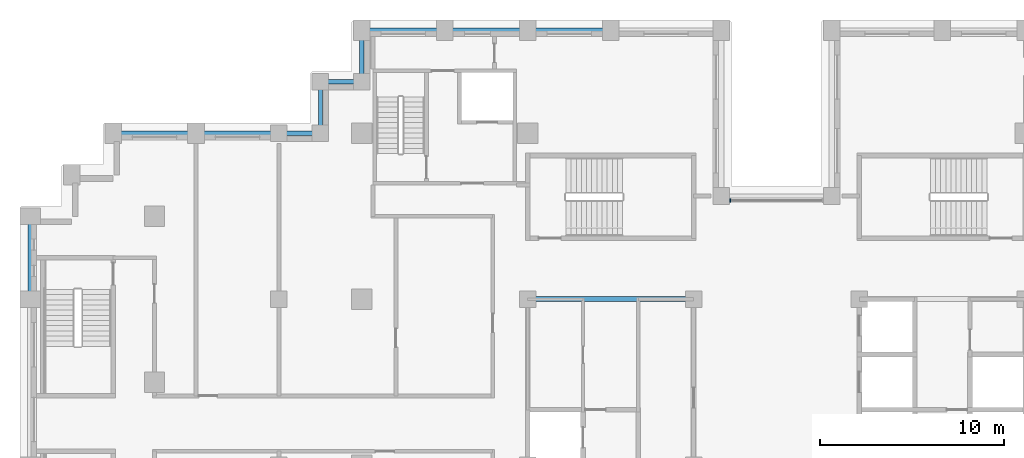
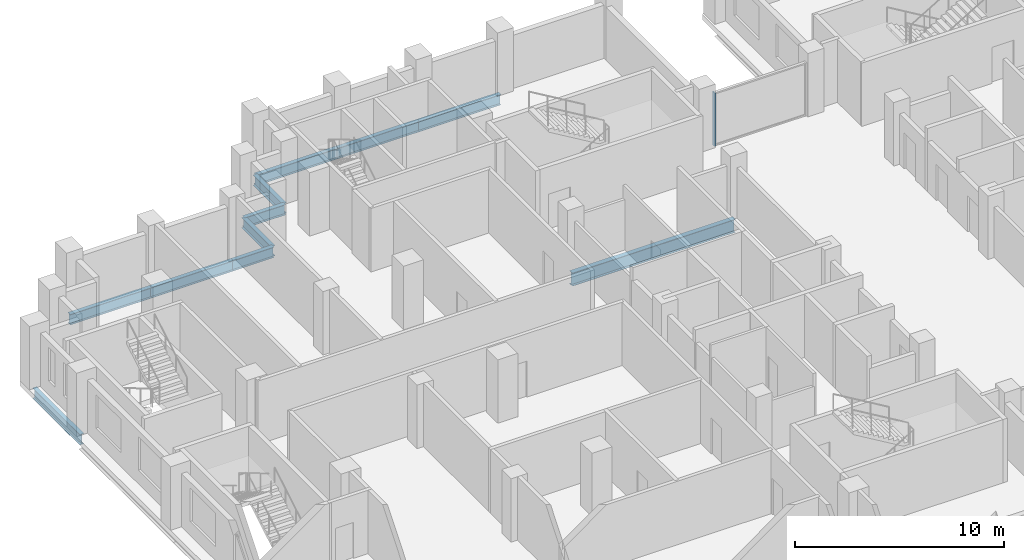
# One storey, part 3 of 15: 11 beams, 1 member, 1 element without a shape of its own.
"""IFC4 building model written with IfcOpenShell, lengths in metres."""

from ifc_helpers import new_model, si_unit, direction, frame, origin, origin_2d, place, context, subcontext, project, spatial, rectangle, i_section, extrude, material, layer, layer_set, material_profile, profile_set, type_object, element, aggregate, save


model = new_model("IFC4")

# Units and contexts
model_context = context("Model", 3, precision=1e-05, world=origin(), true_north=direction((0.0, 1.0)))
body_context = subcontext(model_context, "Body", "Model", "MODEL_VIEW")
ifc_project = project(units=[si_unit("LENGTHUNIT", "METRE"), si_unit("AREAUNIT", "SQUARE_METRE"), si_unit("VOLUMEUNIT", "CUBIC_METRE"), si_unit("PLANEANGLEUNIT", "RADIAN"), si_unit("MASSUNIT", "GRAM", prefix="KILO")], contexts=[model_context])

# Site, building, storey
site_placement = place(None, origin())
site = spatial("IfcSite", under=ifc_project, at=site_placement, CompositionType="ELEMENT")
building_placement = place(site_placement, origin())
building = spatial("IfcBuilding", under=site, at=building_placement, Name="Corbelhall Arena Tower", CompositionType="ELEMENT")
storey_placement = place(building_placement, frame((0.0, 0.0, 162.0)))
storey = spatial("IfcBuildingStorey", under=building, at=storey_placement, Name="L32", CompositionType="ELEMENT", Elevation=162.0)

# Curtain wall, member
ifc_material_1 = material(Name="Aluminium black anodised", Category="aluminium")
ifc_layer = layer(ifc_material_1, 0.199951171875)
ifc_layer_set = layer_set([ifc_layer], Name="EV-CW1 Slot back wall")
curtain_wall_type = type_object("IfcCurtainWallType", Name="EV-CW1 Slot back wall", PredefinedType="NOTDEFINED", material=ifc_layer_set)
curtain_wall_placement = place(storey_placement, origin())
curtain_wall = element("IfcCurtainWall", 1, at=curtain_wall_placement, inside=storey, type_object=curtain_wall_type, Name="Curtain wall CW1", PredefinedType="NOTDEFINED")
ifc_material_profile_1 = material_profile(ifc_material_1, rectangle(XDim=0.199951171875, YDim=0.074951171875, at=origin_2d()))
ifc_profile_set_1 = profile_set([ifc_material_profile_1], Name="Aluminium black anodised")
member_type = type_object("IfcMemberType", Name="EV-CW1-MULLION", PredefinedType="MULLION", material=ifc_profile_set_1)
member_placement = place(storey_placement, frame((-2.512451171875, 14.35009765625, 0.0), z_axis=(0.0, 0.0, 1.0), x_axis=(0.0, -1.0, 0.0)))
member = element("IfcMember", 2, at=member_placement, type_object=member_type, Name="CW1 mullion 2", PredefinedType="MULLION", context=body_context, shape_type="SweptSolid", body=[
    extrude(rectangle(XDim=0.199951171875, YDim=0.074951171875, at=origin_2d()), origin(), (0.0, 0.0, 1.0), 3.10009765625),
])
aggregate(curtain_wall, [member])

# Beams
ifc_material_2 = material(Name="Steel ASTM A992 Gr50", Category="steel")
ifc_material_profile_2 = material_profile(ifc_material_2, i_section(OverallWidth=0.2666015625, OverallDepth=0.761962890625, WebThickness=0.014404296875, FlangeThickness=0.021484375, at=origin_2d()))
ifc_profile_set_2 = profile_set([ifc_material_profile_2], Name="Steel ASTM A992 Gr50")
beam_type_1 = type_object("IfcBeamType", Name="ST-BEAM-W30x116", PredefinedType="BEAM", material=ifc_profile_set_2)
beam_1_placement = place(storey_placement, frame((-13.5, 9.0, -0.680908203125), z_axis=(1.0, 0.0, 0.0), x_axis=(0.0, 1.0, 0.0)))
element("IfcBeam", 3, at=beam_1_placement, inside=storey, type_object=beam_type_1, Name="Beam CEW 6", PredefinedType="BEAM", context=body_context, shape_type="SweptSolid", body=[
    extrude(i_section(OverallWidth=0.2666015625, OverallDepth=0.761962890625, WebThickness=0.014404296875, FlangeThickness=0.021484375, at=origin_2d()), origin(), (0.0, 0.0, 1.0), 9.0),
])
ifc_material_profile_3 = material_profile(ifc_material_2, i_section(OverallWidth=0.22900390625, OverallDepth=0.612060546875, WebThickness=0.011962890625, FlangeThickness=0.01953125, at=origin_2d()))
ifc_profile_set_3 = profile_set([ifc_material_profile_3], Name="Steel ASTM A992 Gr50")
beam_type_2 = type_object("IfcBeamType", Name="ST-SPANDREL-W24x84", PredefinedType="SPANDREL", material=ifc_profile_set_3)
for number, where, z_axis, x_axis, name in (
    (4, (-40.5, 9.0, -0.60595703125), (0.0, 1.0, 0.0), (-1.0, 0.0, 0.0), "Beam SP 2"),
    (5, (-31.5, 18.0, -0.60595703125), (1.0, 0.0, 0.0), (0.0, 1.0, 0.0), "Beam SP 5"),
    (6, (-36.0, 18.0, -0.60595703125), (1.0, 0.0, 0.0), (0.0, 1.0, 0.0), "Beam SP 6"),
    (7, (-13.5, 23.60009765625, -0.60595703125), (1.0, 0.0, 0.0), (0.0, 1.0, 0.0), "Beam SP 24"),
    (8, (-18.0, 23.60009765625, -0.60595703125), (1.0, 0.0, 0.0), (0.0, 1.0, 0.0), "Beam SP 25"),
    (9, (-22.5, 23.60009765625, -0.60595703125), (1.0, 0.0, 0.0), (0.0, 1.0, 0.0), "Beam SP 26"),
):
    element("IfcBeam", number, at=place(storey_placement, frame(where, z_axis=z_axis, x_axis=x_axis)), inside=storey, type_object=beam_type_2, Name=name, PredefinedType="SPANDREL", context=body_context, shape_type="SweptSolid", body=[
        extrude(i_section(OverallWidth=0.22900390625, OverallDepth=0.612060546875, WebThickness=0.011962890625, FlangeThickness=0.01953125, at=origin_2d()), origin(), (0.0, 0.0, 1.0), 4.5),
    ])
beam_2_placement = place(storey_placement, frame((-27.0, 18.0, -0.60595703125), z_axis=(1.0, 0.0, 0.0), x_axis=(0.0, 1.0, 0.0)))
element("IfcBeam", 10, at=beam_2_placement, inside=storey, type_object=beam_type_2, Name="Beam SP 37", PredefinedType="SPANDREL", context=body_context, shape_type="SweptSolid", body=[
    extrude(i_section(OverallWidth=0.22900390625, OverallDepth=0.612060546875, WebThickness=0.011962890625, FlangeThickness=0.01953125, at=origin_2d()), origin(), (0.0, 0.0, 1.0), 2.25),
])
beam_3_placement = place(storey_placement, frame((-22.5, 20.800048828125, -0.60595703125), z_axis=(0.0, 1.0, 0.0), x_axis=(-1.0, 0.0, 0.0)))
element("IfcBeam", 11, at=beam_3_placement, inside=storey, type_object=beam_type_2, Name="Beam SP 46", PredefinedType="SPANDREL", context=body_context, shape_type="SweptSolid", body=[
    extrude(i_section(OverallWidth=0.22900390625, OverallDepth=0.612060546875, WebThickness=0.011962890625, FlangeThickness=0.01953125, at=origin_2d()), origin(), (0.0, 0.0, 1.0), 2.800048828125),
])
beam_4_placement = place(storey_placement, frame((-24.75, 20.800048828125, -0.60595703125), z_axis=(1.0, 0.0, 0.0), x_axis=(0.0, 1.0, 0.0)))
element("IfcBeam", 12, at=beam_4_placement, inside=storey, type_object=beam_type_2, Name="Beam SP 47", PredefinedType="SPANDREL", context=body_context, shape_type="SweptSolid", body=[
    extrude(i_section(OverallWidth=0.22900390625, OverallDepth=0.612060546875, WebThickness=0.011962890625, FlangeThickness=0.01953125, at=origin_2d()), origin(), (0.0, 0.0, 1.0), 2.25),
])
beam_5_placement = place(storey_placement, frame((-24.75, 18.0, -0.60595703125), z_axis=(0.0, 1.0, 0.0), x_axis=(-1.0, 0.0, 0.0)))
element("IfcBeam", 13, at=beam_5_placement, inside=storey, type_object=beam_type_2, Name="Beam SP 48", PredefinedType="SPANDREL", context=body_context, shape_type="SweptSolid", body=[
    extrude(i_section(OverallWidth=0.22900390625, OverallDepth=0.612060546875, WebThickness=0.011962890625, FlangeThickness=0.01953125, at=origin_2d()), origin(), (0.0, 0.0, 1.0), 2.800048828125),
])

save(model, "model.ifc")
